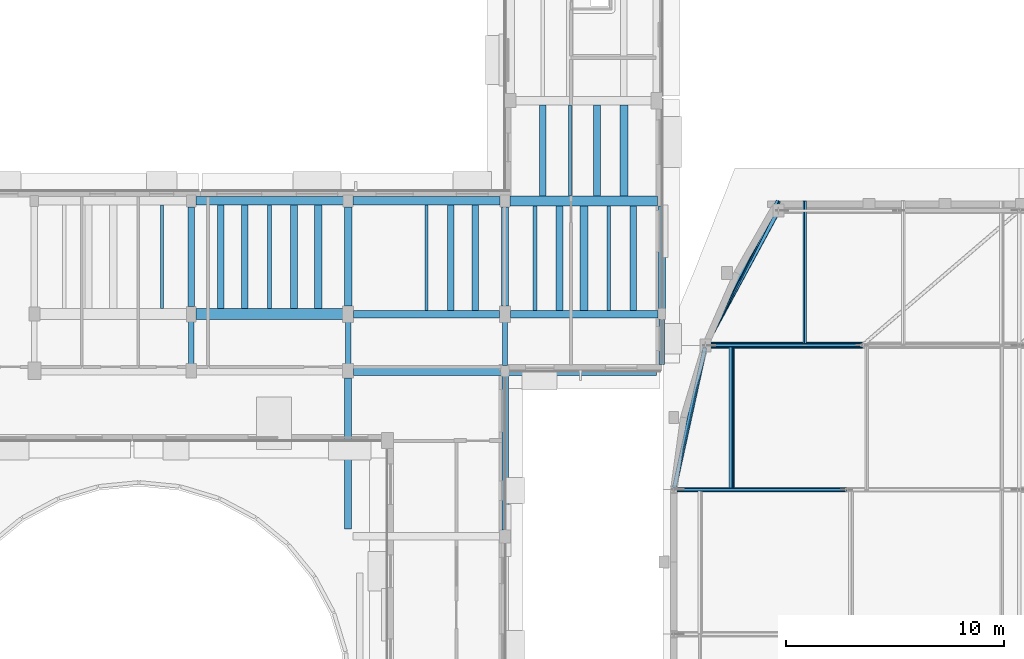
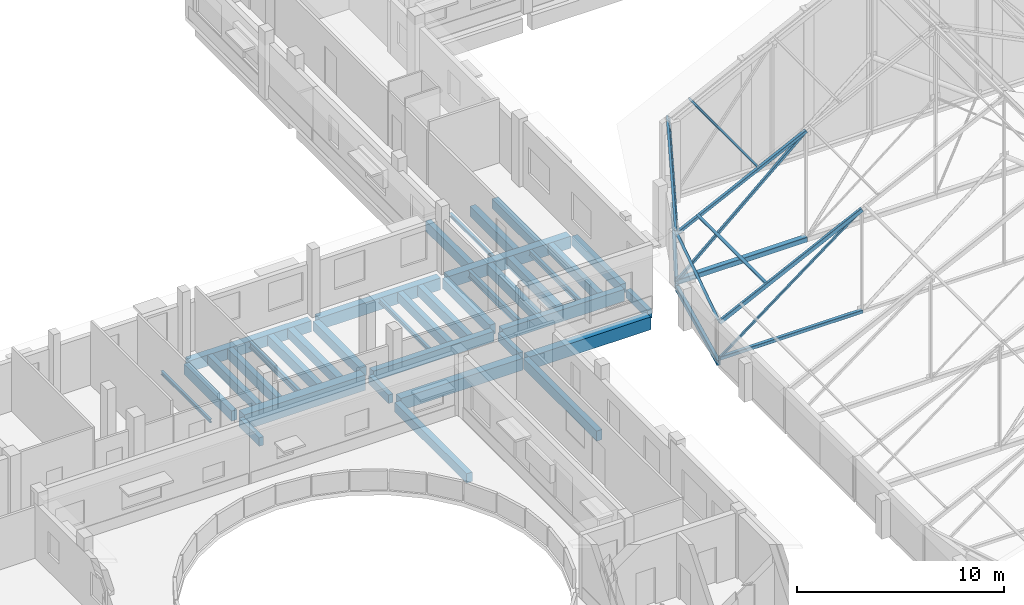
# One storey, part 26 of 78: 38 beams, 10 members.
"""IFC4 building model written with IfcOpenShell, lengths in metres."""

from ifc_helpers import new_model, si_unit, direction, frame, origin, origin_2d, place, context, subcontext, project, spatial, rectangle, hollow_rectangle, i_section, extrude, material, material_profile, profile_set, type_object, element, save


model = new_model("IFC4")

# Units and contexts
model_context = context("Model", 3, precision=1e-05, world=origin(), true_north=direction((0.0, 1.0)))
body_context = subcontext(model_context, "Body", "Model", "MODEL_VIEW")
ifc_project = project(units=[si_unit("LENGTHUNIT", "METRE"), si_unit("AREAUNIT", "SQUARE_METRE"), si_unit("VOLUMEUNIT", "CUBIC_METRE"), si_unit("PLANEANGLEUNIT", "RADIAN"), si_unit("MASSUNIT", "GRAM", prefix="KILO")], contexts=[model_context])

# Site, building, storey
site_placement = place(None, origin())
site = spatial("IfcSite", under=ifc_project, at=site_placement, CompositionType="ELEMENT")
building_placement = place(site_placement, origin())
building = spatial("IfcBuilding", under=site, at=building_placement, Name="Kelanivale Promenade Academy", CompositionType="ELEMENT")
storey_placement = place(building_placement, frame((0.0, 0.0, 16.199951171875)))
storey = spatial("IfcBuildingStorey", under=building, at=storey_placement, Name="L04", CompositionType="ELEMENT", Elevation=16.199951171875)

# Beams
ifc_material_1 = material(Name="Concrete C35/45", Category="concrete")
ifc_material_profile_1 = material_profile(ifc_material_1, rectangle(XDim=0.39990234375, YDim=0.64990234375, at=origin_2d()), Name="RC-BM 400x650")
ifc_profile_set_1 = profile_set([ifc_material_profile_1], Name="Concrete C35/45")
beam_type_1 = type_object("IfcBeamType", Name="BM-01 RC-BM 400x650", PredefinedType="BEAM", material=ifc_profile_set_1)
beam_1_placement = place(storey_placement, frame((101.419921875, 79.39990234375, -0.544921875), z_axis=(1.0, 0.0, 0.0), x_axis=(0.0, 1.0, 0.0)))
element("IfcBeam", 1, at=beam_1_placement, inside=storey, type_object=beam_type_1, Name="L04 girder BM-01", PredefinedType="BEAM", context=body_context, shape_type="SweptSolid", body=[
    extrude(rectangle(XDim=0.39990234375, YDim=0.64990234375, at=origin_2d()), origin(), (0.0, 0.0, 1.0), 6.760009765625),
])
ifc_material_profile_2 = material_profile(ifc_material_1, rectangle(XDim=0.39990234375, YDim=0.699951171875, at=origin_2d()), Name="RC-BM 400x700")
ifc_profile_set_2 = profile_set([ifc_material_profile_2], Name="Concrete C35/45")
beam_type_2 = type_object("IfcBeamType", Name="BM-02 RC-BM 400x700", PredefinedType="BEAM", material=ifc_profile_set_2)
beam_2_placement = place(storey_placement, frame((108.6201171875, 79.39990234375, -0.570068359375), z_axis=(1.0, 0.0, 0.0), x_axis=(0.0, 1.0, 0.0)))
element("IfcBeam", 2, at=beam_2_placement, inside=storey, type_object=beam_type_2, Name="L04 girder BM-02", PredefinedType="BEAM", context=body_context, shape_type="SweptSolid", body=[
    extrude(rectangle(XDim=0.39990234375, YDim=0.699951171875, at=origin_2d()), origin(), (0.0, 0.0, 1.0), 6.759765625),
])
ifc_material_profile_3 = material_profile(ifc_material_1, rectangle(XDim=0.449951171875, YDim=0.699951171875, at=origin_2d()), Name="RC-BM 450x700")
ifc_profile_set_3 = profile_set([ifc_material_profile_3], Name="Concrete C35/45")
beam_type_3 = type_object("IfcBeamType", Name="BM-03 RC-BM 450x700", PredefinedType="BEAM", material=ifc_profile_set_3)
for number, where, z_axis, x_axis, name in (
    (3, (108.64501953125, 71.60009765625, -0.570068359375), (1.0, 0.0, 0.0), (0.0, 1.0, 0.0), "L04 girder BM-03"),
    (4, (115.820068359375, 79.39990234375, -0.6298828125), (1.0, 0.0, 0.0), (0.0, 1.0, 0.0), "L04 girder BM-03"),
):
    element("IfcBeam", number, at=place(storey_placement, frame(where, z_axis=z_axis, x_axis=x_axis)), inside=storey, type_object=beam_type_3, Name=name, PredefinedType="BEAM", context=body_context, shape_type="SweptSolid", body=[
        extrude(rectangle(XDim=0.449951171875, YDim=0.699951171875, at=origin_2d()), origin(), (0.0, 0.0, 1.0), 6.784912109375),
    ])
ifc_material_profile_4 = material_profile(ifc_material_1, rectangle(XDim=0.449951171875, YDim=0.75, at=origin_2d()), Name="RC-BM 450x750")
ifc_profile_set_4 = profile_set([ifc_material_profile_4], Name="Concrete C35/45")
beam_type_4 = type_object("IfcBeamType", Name="BM-04 RC-BM 450x750", PredefinedType="BEAM", material=ifc_profile_set_4)
beam_3_placement = place(storey_placement, frame((115.77001953125, 71.60009765625, -0.655029296875), z_axis=(1.0, 0.0, 0.0), x_axis=(0.0, 1.0, 0.0)))
element("IfcBeam", 5, at=beam_3_placement, inside=storey, type_object=beam_type_4, Name="L04 girder BM-04", PredefinedType="BEAM", context=body_context, shape_type="SweptSolid", body=[
    extrude(rectangle(XDim=0.449951171875, YDim=0.75, at=origin_2d()), origin(), (0.0, 0.0, 1.0), 6.784912109375),
])
ifc_material_profile_5 = material_profile(ifc_material_1, rectangle(XDim=0.5, YDim=0.89990234375, at=origin_2d()), Name="RC-BM 500x900")
ifc_profile_set_5 = profile_set([ifc_material_profile_5], Name="Concrete C35/45")
beam_type_5 = type_object("IfcBeamType", Name="BM-08 RC-BM 500x900", PredefinedType="BEAM", material=ifc_profile_set_5)
beam_4_placement = place(storey_placement, frame((101.419921875, 74.199951171875, -0.669921875), z_axis=(1.0, 0.0, 0.0), x_axis=(0.0, 1.0, 0.0)))
element("IfcBeam", 6, at=beam_4_placement, inside=storey, type_object=beam_type_5, Name="L04 girder BM-08", PredefinedType="BEAM", context=body_context, shape_type="SweptSolid", body=[
    extrude(rectangle(XDim=0.5, YDim=0.89990234375, at=origin_2d()), origin(), (0.0, 0.0, 1.0), 6.735107421875),
])
ifc_material_profile_6 = material_profile(ifc_material_1, rectangle(XDim=0.35009765625, YDim=0.60009765625, at=origin_2d()), Name="RC-BM 350x600")
ifc_profile_set_6 = profile_set([ifc_material_profile_6], Name="Concrete C35/45")
beam_type_6 = type_object("IfcBeamType", Name="BM-09 RC-BM 350x600", PredefinedType="BEAM", material=ifc_profile_set_6)
beam_5_placement = place(storey_placement, frame((108.64501953125, 74.199951171875, -0.52001953125), z_axis=(1.0, 0.0, 0.0), x_axis=(0.0, 1.0, 0.0)))
element("IfcBeam", 7, at=beam_5_placement, inside=storey, type_object=beam_type_6, Name="L04 girder BM-09", PredefinedType="BEAM", context=body_context, shape_type="SweptSolid", body=[
    extrude(rectangle(XDim=0.35009765625, YDim=0.60009765625, at=origin_2d()), origin(), (0.0, 0.0, 1.0), 6.7099609375),
])
ifc_material_profile_7 = material_profile(ifc_material_1, rectangle(XDim=0.35009765625, YDim=0.699951171875, at=origin_2d()), Name="RC-BM 350x700")
ifc_profile_set_7 = profile_set([ifc_material_profile_7], Name="Concrete C35/45")
beam_type_7 = type_object("IfcBeamType", Name="BM-11 RC-BM 350x700", PredefinedType="BEAM", material=ifc_profile_set_7)
beam_6_placement = place(storey_placement, frame((115.844970703125, 74.199951171875, -0.6298828125), z_axis=(1.0, 0.0, 0.0), x_axis=(0.0, 1.0, 0.0)))
element("IfcBeam", 8, at=beam_6_placement, inside=storey, type_object=beam_type_7, Name="L04 girder BM-11", PredefinedType="BEAM", context=body_context, shape_type="SweptSolid", body=[
    extrude(rectangle(XDim=0.35009765625, YDim=0.699951171875, at=origin_2d()), origin(), (0.0, 0.0, 1.0), 6.784912109375),
])
ifc_material_profile_8 = material_profile(ifc_material_1, rectangle(XDim=0.300048828125, YDim=0.550048828125, at=origin_2d()), Name="RC-BM 300x550")
ifc_profile_set_8 = profile_set([ifc_material_profile_8], Name="Concrete C35/45")
beam_type_8 = type_object("IfcBeamType", Name="JS-02 RC-BM 300x550", PredefinedType="JOIST", material=ifc_profile_set_8)
beam_7_placement = place(storey_placement, frame((102.54296875, 74.449951171875, -0.494873046875), z_axis=(0.0, 1.0, 0.0), x_axis=(-1.0, 0.0, 0.0)))
element("IfcBeam", 9, at=beam_7_placement, inside=storey, type_object=beam_type_8, Name="L04 secondary sub-beam JS-02", PredefinedType="JOIST", context=body_context, shape_type="SweptSolid", body=[
    extrude(rectangle(XDim=0.300048828125, YDim=0.550048828125, at=origin_2d()), origin(), (0.0, 0.0, 1.0), 4.75),
])
beam_8_placement = place(storey_placement, frame((113.117919921875, 74.375, -0.494873046875), z_axis=(0.0, 1.0, 0.0), x_axis=(-1.0, 0.0, 0.0)))
element("IfcBeam", 10, at=beam_8_placement, inside=storey, type_object=beam_type_8, Name="L04 secondary sub-beam JS-02", PredefinedType="JOIST", context=body_context, shape_type="SweptSolid", body=[
    extrude(rectangle(XDim=0.300048828125, YDim=0.550048828125, at=origin_2d()), origin(), (0.0, 0.0, 1.0), 4.824951171875),
])
beam_9_placement = place(storey_placement, frame((121.47802734375, 74.375, -0.554931640625), z_axis=(0.0, 1.0, 0.0), x_axis=(-1.0, 0.0, 0.0)))
element("IfcBeam", 11, at=beam_9_placement, inside=storey, type_object=beam_type_8, Name="L04 secondary sub-beam JS-02", PredefinedType="JOIST", context=body_context, shape_type="SweptSolid", body=[
    extrude(rectangle(XDim=0.300048828125, YDim=0.550048828125, at=origin_2d()), origin(), (0.0, 0.0, 1.0), 4.800048828125),
])
ifc_material_profile_9 = material_profile(ifc_material_1, rectangle(XDim=0.300048828125, YDim=0.60009765625, at=origin_2d()), Name="RC-BM 300x600")
ifc_profile_set_9 = profile_set([ifc_material_profile_9], Name="Concrete C35/45")
beam_type_9 = type_object("IfcBeamType", Name="JS-03 RC-BM 300x600", PredefinedType="JOIST", material=ifc_profile_set_9)
beam_10_placement = place(storey_placement, frame((101.199951171875, 74.544921875, -0.52001953125), z_axis=(0.0, 1.0, 0.0), x_axis=(-1.0, 0.0, 0.0)))
element("IfcBeam", 12, at=beam_10_placement, inside=storey, type_object=beam_type_9, Name="L04 beam JS-03", PredefinedType="JOIST", context=body_context, shape_type="SweptSolid", body=[
    extrude(rectangle(XDim=0.300048828125, YDim=0.60009765625, at=origin_2d()), origin(), (0.0, 0.0, 1.0), 4.5849609375),
])
beam_11_placement = place(storey_placement, frame((115.60009765625, 64.294921875, -0.52001953125), z_axis=(0.0, 1.0, 0.0), x_axis=(-1.0, 0.0, 0.0)))
element("IfcBeam", 13, at=beam_11_placement, inside=storey, type_object=beam_type_9, Name="L04 beam JS-03", PredefinedType="JOIST", context=body_context, shape_type="SweptSolid", body=[
    extrude(rectangle(XDim=0.300048828125, YDim=0.60009765625, at=origin_2d()), origin(), (0.0, 0.0, 1.0), 7.06005859375),
])
beam_12_placement = place(storey_placement, frame((103.6650390625, 74.449951171875, -0.52001953125), z_axis=(0.0, 1.0, 0.0), x_axis=(-1.0, 0.0, 0.0)))
element("IfcBeam", 14, at=beam_12_placement, inside=storey, type_object=beam_type_9, Name="L04 secondary sub-beam JS-03", PredefinedType="JOIST", context=body_context, shape_type="SweptSolid", body=[
    extrude(rectangle(XDim=0.300048828125, YDim=0.60009765625, at=origin_2d()), origin(), (0.0, 0.0, 1.0), 4.75),
])
beam_13_placement = place(storey_placement, frame((114.237060546875, 74.375, -0.52001953125), z_axis=(0.0, 1.0, 0.0), x_axis=(-1.0, 0.0, 0.0)))
element("IfcBeam", 15, at=beam_13_placement, inside=storey, type_object=beam_type_9, Name="L04 secondary sub-beam JS-03", PredefinedType="JOIST", context=body_context, shape_type="SweptSolid", body=[
    extrude(rectangle(XDim=0.300048828125, YDim=0.60009765625, at=origin_2d()), origin(), (0.0, 0.0, 1.0), 4.824951171875),
])
beam_14_placement = place(storey_placement, frame((117.3369140625, 79.625, -0.579833984375), z_axis=(0.0, 1.0, 0.0), x_axis=(-1.0, 0.0, 0.0)))
element("IfcBeam", 16, at=beam_14_placement, inside=storey, type_object=beam_type_9, Name="L04 secondary sub-beam JS-03", PredefinedType="JOIST", context=body_context, shape_type="SweptSolid", body=[
    extrude(rectangle(XDim=0.300048828125, YDim=0.60009765625, at=origin_2d()), origin(), (0.0, 0.0, 1.0), 4.175048828125),
])
ifc_material_profile_10 = material_profile(ifc_material_1, rectangle(XDim=0.320068359375, YDim=0.550048828125, at=origin_2d()), Name="RC-BM 320x550")
ifc_profile_set_10 = profile_set([ifc_material_profile_10], Name="Concrete C35/45")
beam_type_10 = type_object("IfcBeamType", Name="JS-04 RC-BM 320x550", PredefinedType="JOIST", material=ifc_profile_set_10)
beam_15_placement = place(storey_placement, frame((108.39990234375, 64.344970703125, -0.514892578125), z_axis=(0.0, 1.0, 0.0), x_axis=(-1.0, 0.0, 0.0)))
element("IfcBeam", 17, at=beam_15_placement, inside=storey, type_object=beam_type_10, Name="L04 beam JS-04", PredefinedType="JOIST", context=body_context, shape_type="SweptSolid", body=[
    extrude(rectangle(XDim=0.320068359375, YDim=0.550048828125, at=origin_2d()), origin(), (0.0, 0.0, 1.0), 6.93505859375),
])
beam_16_placement = place(storey_placement, frame((122.800048828125, 74.445068359375, -0.554931640625), z_axis=(0.0, 1.0, 0.0), x_axis=(-1.0, 0.0, 0.0)))
element("IfcBeam", 18, at=beam_16_placement, inside=storey, type_object=beam_type_10, Name="L04 beam JS-04", PredefinedType="JOIST", context=body_context, shape_type="SweptSolid", body=[
    extrude(rectangle(XDim=0.320068359375, YDim=0.550048828125, at=origin_2d()), origin(), (0.0, 0.0, 1.0), 4.7099609375),
])
ifc_material_profile_11 = material_profile(ifc_material_1, rectangle(XDim=0.320068359375, YDim=0.60009765625, at=origin_2d()), Name="RC-BM 320x600")
ifc_profile_set_11 = profile_set([ifc_material_profile_11], Name="Concrete C35/45")
beam_type_11 = type_object("IfcBeamType", Name="JS-05 RC-BM 320x600", PredefinedType="JOIST", material=ifc_profile_set_11)
beam_17_placement = place(storey_placement, frame((115.60009765625, 74.570068359375, -0.52001953125), z_axis=(0.0, 1.0, 0.0), x_axis=(-1.0, 0.0, 0.0)))
element("IfcBeam", 19, at=beam_17_placement, inside=storey, type_object=beam_type_11, Name="L04 beam JS-05", PredefinedType="JOIST", context=body_context, shape_type="SweptSolid", body=[
    extrude(rectangle(XDim=0.320068359375, YDim=0.60009765625, at=origin_2d()), origin(), (0.0, 0.0, 1.0), 4.559814453125),
])
beam_18_placement = place(storey_placement, frame((105.909912109375, 74.449951171875, -0.52001953125), z_axis=(0.0, 1.0, 0.0), x_axis=(-1.0, 0.0, 0.0)))
element("IfcBeam", 20, at=beam_18_placement, inside=storey, type_object=beam_type_11, Name="L04 secondary sub-beam JS-05", PredefinedType="JOIST", context=body_context, shape_type="SweptSolid", body=[
    extrude(rectangle(XDim=0.320068359375, YDim=0.60009765625, at=origin_2d()), origin(), (0.0, 0.0, 1.0), 4.75),
])
beam_19_placement = place(storey_placement, frame((118.097900390625, 74.375, -0.579833984375), z_axis=(0.0, 1.0, 0.0), x_axis=(-1.0, 0.0, 0.0)))
element("IfcBeam", 21, at=beam_19_placement, inside=storey, type_object=beam_type_11, Name="L04 secondary sub-beam JS-05", PredefinedType="JOIST", context=body_context, shape_type="SweptSolid", body=[
    extrude(rectangle(XDim=0.320068359375, YDim=0.60009765625, at=origin_2d()), origin(), (0.0, 0.0, 1.0), 4.800048828125),
])
beam_20_placement = place(storey_placement, frame((119.821044921875, 79.625, -0.579833984375), z_axis=(0.0, 1.0, 0.0), x_axis=(-1.0, 0.0, 0.0)))
element("IfcBeam", 22, at=beam_20_placement, inside=storey, type_object=beam_type_11, Name="L04 secondary sub-beam JS-05", PredefinedType="JOIST", context=body_context, shape_type="SweptSolid", body=[
    extrude(rectangle(XDim=0.320068359375, YDim=0.60009765625, at=origin_2d()), origin(), (0.0, 0.0, 1.0), 4.175048828125),
])
ifc_material_profile_12 = material_profile(ifc_material_1, rectangle(XDim=0.35009765625, YDim=0.550048828125, at=origin_2d()), Name="RC-BM 350x550")
ifc_profile_set_12 = profile_set([ifc_material_profile_12], Name="Concrete C35/45")
beam_type_12 = type_object("IfcBeamType", Name="JS-06 RC-BM 350x550", PredefinedType="JOIST", material=ifc_profile_set_12)
beam_21_placement = place(storey_placement, frame((108.39990234375, 74.570068359375, -0.494873046875), z_axis=(0.0, 1.0, 0.0), x_axis=(-1.0, 0.0, 0.0)))
element("IfcBeam", 23, at=beam_21_placement, inside=storey, type_object=beam_type_12, Name="L04 beam JS-06", PredefinedType="JOIST", context=body_context, shape_type="SweptSolid", body=[
    extrude(rectangle(XDim=0.35009765625, YDim=0.550048828125, at=origin_2d()), origin(), (0.0, 0.0, 1.0), 4.559814453125),
])
beam_22_placement = place(storey_placement, frame((107.031982421875, 74.449951171875, -0.494873046875), z_axis=(0.0, 1.0, 0.0), x_axis=(-1.0, 0.0, 0.0)))
element("IfcBeam", 24, at=beam_22_placement, inside=storey, type_object=beam_type_12, Name="L04 secondary sub-beam JS-06", PredefinedType="JOIST", context=body_context, shape_type="SweptSolid", body=[
    extrude(rectangle(XDim=0.35009765625, YDim=0.550048828125, at=origin_2d()), origin(), (0.0, 0.0, 1.0), 4.75),
])
beam_23_placement = place(storey_placement, frame((119.22509765625, 74.375, -0.554931640625), z_axis=(0.0, 1.0, 0.0), x_axis=(-1.0, 0.0, 0.0)))
element("IfcBeam", 25, at=beam_23_placement, inside=storey, type_object=beam_type_12, Name="L04 secondary sub-beam JS-06", PredefinedType="JOIST", context=body_context, shape_type="SweptSolid", body=[
    extrude(rectangle(XDim=0.35009765625, YDim=0.550048828125, at=origin_2d()), origin(), (0.0, 0.0, 1.0), 4.800048828125),
])
beam_24_placement = place(storey_placement, frame((121.06298828125, 79.625, -0.554931640625), z_axis=(0.0, 1.0, 0.0), x_axis=(-1.0, 0.0, 0.0)))
element("IfcBeam", 26, at=beam_24_placement, inside=storey, type_object=beam_type_12, Name="L04 secondary sub-beam JS-06", PredefinedType="JOIST", context=body_context, shape_type="SweptSolid", body=[
    extrude(rectangle(XDim=0.35009765625, YDim=0.550048828125, at=origin_2d()), origin(), (0.0, 0.0, 1.0), 4.175048828125),
])
ifc_material_profile_13 = material_profile(ifc_material_1, rectangle(XDim=0.25, YDim=0.5, at=origin_2d()), Name="RC-BM 250x500")
ifc_profile_set_13 = profile_set([ifc_material_profile_13], Name="Concrete C35/45")
beam_type_13 = type_object("IfcBeamType", Name="LN-02 RC-BM 250x500", PredefinedType="LINTEL", material=ifc_profile_set_13)
beam_25_placement = place(storey_placement, frame((101.199951171875, 71.919921875, -0.469970703125), z_axis=(0.0, 1.0, 0.0), x_axis=(-1.0, 0.0, 0.0)))
element("IfcBeam", 27, at=beam_25_placement, inside=storey, type_object=beam_type_13, Name="L04 beam LN-02", PredefinedType="LINTEL", context=body_context, shape_type="SweptSolid", body=[
    extrude(rectangle(XDim=0.25, YDim=0.5, at=origin_2d()), origin(), (0.0, 0.0, 1.0), 1.93505859375),
])
beam_26_placement = place(storey_placement, frame((108.39990234375, 71.919921875, -0.469970703125), z_axis=(0.0, 1.0, 0.0), x_axis=(-1.0, 0.0, 0.0)))
element("IfcBeam", 28, at=beam_26_placement, inside=storey, type_object=beam_type_13, Name="L04 beam LN-02", PredefinedType="LINTEL", context=body_context, shape_type="SweptSolid", body=[
    extrude(rectangle(XDim=0.25, YDim=0.5, at=origin_2d()), origin(), (0.0, 0.0, 1.0), 1.91015625),
])
beam_27_placement = place(storey_placement, frame((115.60009765625, 71.844970703125, -0.469970703125), z_axis=(0.0, 1.0, 0.0), x_axis=(-1.0, 0.0, 0.0)))
element("IfcBeam", 29, at=beam_27_placement, inside=storey, type_object=beam_type_13, Name="L04 beam LN-02", PredefinedType="LINTEL", context=body_context, shape_type="SweptSolid", body=[
    extrude(rectangle(XDim=0.25, YDim=0.5, at=origin_2d()), origin(), (0.0, 0.0, 1.0), 1.985107421875),
])
beam_28_placement = place(storey_placement, frame((122.800048828125, 71.89501953125, -0.530029296875), z_axis=(0.0, 1.0, 0.0), x_axis=(-1.0, 0.0, 0.0)))
element("IfcBeam", 30, at=beam_28_placement, inside=storey, type_object=beam_type_13, Name="L04 beam LN-02", PredefinedType="LINTEL", context=body_context, shape_type="SweptSolid", body=[
    extrude(rectangle(XDim=0.25, YDim=0.5, at=origin_2d()), origin(), (0.0, 0.0, 1.0), 2.06005859375),
])

# Members
ifc_material_2 = material(Name="Steel S355", Category="steel")
ifc_material_profile_14 = material_profile(ifc_material_2, i_section(OverallWidth=0.13330078125, OverallDepth=0.203125, WebThickness=0.005615234375, FlangeThickness=0.0078125, FilletRadius=0.007568359375, at=origin_2d()), Name="UB 203x133x25")
ifc_profile_set_14 = profile_set([ifc_material_profile_14], Name="Steel S355")
member_type_1 = type_object("IfcMemberType", Name="PR-01 UB 203x133x25", PredefinedType="PURLIN", material=ifc_profile_set_14)
member_1_placement = place(storey_placement, frame((123.35009765625, 66.14306640625, 2.345947265625), z_axis=(0.212555551587, 0.971621167618, 0.10379038552), x_axis=(-0.868071083791, 0.236527250347, -0.436471595101)))
element("IfcMember", 31, at=member_1_placement, inside=storey, type_object=member_type_1, Name="Assembly Hall Arc Pavilion roof tie purlin PR-01", PredefinedType="PURLIN", context=body_context, shape_type="SweptSolid", body=[
    extrude(i_section(OverallWidth=0.13330078125, OverallDepth=0.203125, WebThickness=0.005615234375, FlangeThickness=0.0078125, FilletRadius=0.007568359375, at=origin_2d()), origin(), (0.0, 0.0, 1.0), 6.821533203125),
])
member_2_placement = place(storey_placement, frame((124.800048828125, 72.77099609375, 3.053955078125), z_axis=(0.440463872752, 0.871618327598, 0.215111756527), x_axis=(-0.759403461189, 0.489526007548, -0.428568163852)))
element("IfcMember", 32, at=member_2_placement, inside=storey, type_object=member_type_1, Name="Assembly Hall Arc Pavilion roof tie purlin PR-01", PredefinedType="PURLIN", context=body_context, shape_type="SweptSolid", body=[
    extrude(i_section(OverallWidth=0.13330078125, OverallDepth=0.203125, WebThickness=0.005615234375, FlangeThickness=0.0078125, FilletRadius=0.007568359375, at=origin_2d()), origin(), (0.0, 0.0, 1.0), 7.605224609375),
])
ifc_material_profile_15 = material_profile(ifc_material_2, i_section(OverallWidth=0.14599609375, OverallDepth=0.25146484375, WebThickness=0.006103515625, FlangeThickness=0.008544921875, FilletRadius=0.007568359375, at=origin_2d()), Name="UB 254x146x31")
ifc_profile_set_15 = profile_set([ifc_material_profile_15], Name="Steel S355")
member_type_2 = type_object("IfcMemberType", Name="PR-02 UB 254x146x31", PredefinedType="PURLIN", material=ifc_profile_set_15)
member_3_placement = place(storey_placement, frame((126.0, 66.14306640625, 3.630126953125), z_axis=(0.0, 1.0, 0.0), x_axis=(-0.898564392509, 0.0, -0.438841694139)))
element("IfcMember", 33, at=member_3_placement, inside=storey, type_object=member_type_2, Name="Assembly Hall Arc Pavilion roof purlin PR-02", PredefinedType="PURLIN", context=body_context, shape_type="SweptSolid", body=[
    extrude(i_section(OverallWidth=0.14599609375, OverallDepth=0.25146484375, WebThickness=0.006103515625, FlangeThickness=0.008544921875, FilletRadius=0.007568359375, at=origin_2d()), origin(), (0.0, 0.0, 1.0), 6.6279296875),
])
ifc_material_profile_16 = material_profile(ifc_material_2, hollow_rectangle(XDim=0.10009765625, YDim=0.199951171875, WallThickness=0.008056640625, InnerFilletRadius=0.008056640625, OuterFilletRadius=0.01611328125, at=origin_2d()), Name="RHS 200x100x8.0")
ifc_profile_set_16 = profile_set([ifc_material_profile_16], Name="Steel S355")
member_type_3 = type_object("IfcMemberType", Name="PR-03 RHS 200x100x8.0", PredefinedType="PURLIN", material=ifc_profile_set_16)
member_4_placement = place(storey_placement, frame((129.35009765625, 72.77099609375, 5.296142578125), z_axis=(0.0, 1.0, 0.0), x_axis=(-0.898564392509, 0.0, -0.438841694139)))
element("IfcMember", 34, at=member_4_placement, inside=storey, type_object=member_type_3, Name="Assembly Hall Arc Pavilion roof purlin PR-03", PredefinedType="PURLIN", context=body_context, shape_type="SweptSolid", body=[
    extrude(hollow_rectangle(XDim=0.10009765625, YDim=0.199951171875, WallThickness=0.008056640625, InnerFilletRadius=0.008056640625, OuterFilletRadius=0.01611328125, at=origin_2d()), origin(), (0.0, 0.0, 1.0), 6.62890625),
])

# Beams
ifc_material_profile_17 = material_profile(ifc_material_2, i_section(OverallWidth=0.13330078125, OverallDepth=0.203125, WebThickness=0.005615234375, FlangeThickness=0.0078125, FilletRadius=0.007568359375, at=origin_2d()), Name="UB 203x133x25")
ifc_profile_set_17 = profile_set([ifc_material_profile_17], Name="Steel S355")
beam_type_14 = type_object("IfcBeamType", Name="SB-01 UB 203x133x25", PredefinedType="JOIST", material=ifc_profile_set_17)
beam_29_placement = place(storey_placement, frame((99.85791015625, 74.449951171875, -0.322021484375), z_axis=(0.0, 1.0, 0.0), x_axis=(-1.0, 0.0, 0.0)))
element("IfcBeam", 35, at=beam_29_placement, inside=storey, type_object=beam_type_14, Name="L04 secondary sub-beam SB-01", PredefinedType="JOIST", context=body_context, shape_type="SweptSolid", body=[
    extrude(i_section(OverallWidth=0.13330078125, OverallDepth=0.203125, WebThickness=0.005615234375, FlangeThickness=0.0078125, FilletRadius=0.007568359375, at=origin_2d()), origin(), (0.0, 0.0, 1.0), 4.75),
])
beam_30_placement = place(storey_placement, frame((118.5791015625, 79.625, -0.3818359375), z_axis=(0.0, 1.0, 0.0), x_axis=(-1.0, 0.0, 0.0)))
element("IfcBeam", 36, at=beam_30_placement, inside=storey, type_object=beam_type_14, Name="L04 secondary sub-beam SB-01", PredefinedType="JOIST", context=body_context, shape_type="SweptSolid", body=[
    extrude(i_section(OverallWidth=0.13330078125, OverallDepth=0.203125, WebThickness=0.005615234375, FlangeThickness=0.0078125, FilletRadius=0.007568359375, at=origin_2d()), origin(), (0.0, 0.0, 1.0), 4.175048828125),
])
ifc_material_profile_18 = material_profile(ifc_material_2, i_section(OverallWidth=0.14599609375, OverallDepth=0.25146484375, WebThickness=0.006103515625, FlangeThickness=0.008544921875, FilletRadius=0.007568359375, at=origin_2d()), Name="UB 254x146x31")
ifc_profile_set_18 = profile_set([ifc_material_profile_18], Name="Steel S355")
beam_type_15 = type_object("IfcBeamType", Name="SB-02 UB 254x146x31", PredefinedType="JOIST", material=ifc_profile_set_18)
beam_31_placement = place(storey_placement, frame((112.0, 74.375, -0.345947265625), z_axis=(0.0, 1.0, 0.0), x_axis=(-1.0, 0.0, 0.0)))
element("IfcBeam", 37, at=beam_31_placement, inside=storey, type_object=beam_type_15, Name="L04 secondary sub-beam SB-02", PredefinedType="JOIST", context=body_context, shape_type="SweptSolid", body=[
    extrude(i_section(OverallWidth=0.14599609375, OverallDepth=0.25146484375, WebThickness=0.006103515625, FlangeThickness=0.008544921875, FilletRadius=0.007568359375, at=origin_2d()), origin(), (0.0, 0.0, 1.0), 4.824951171875),
])
ifc_material_profile_19 = material_profile(ifc_material_2, i_section(OverallWidth=0.1650390625, OverallDepth=0.303466796875, WebThickness=0.006103515625, FlangeThickness=0.01025390625, FilletRadius=0.0087890625, at=origin_2d()), Name="UB 305x165x40")
ifc_profile_set_19 = profile_set([ifc_material_profile_19], Name="Steel S355")
beam_type_16 = type_object("IfcBeamType", Name="SB-03 UB 305x165x40", PredefinedType="BEAM", material=ifc_profile_set_19)
beam_32_placement = place(storey_placement, frame((120.35205078125, 74.375, -0.431884765625), z_axis=(0.0, 1.0, 0.0), x_axis=(-1.0, 0.0, 0.0)))
element("IfcBeam", 38, at=beam_32_placement, inside=storey, type_object=beam_type_16, Name="L04 secondary sub-beam SB-03", PredefinedType="BEAM", context=body_context, shape_type="SweptSolid", body=[
    extrude(i_section(OverallWidth=0.1650390625, OverallDepth=0.303466796875, WebThickness=0.006103515625, FlangeThickness=0.01025390625, FilletRadius=0.0087890625, at=origin_2d()), origin(), (0.0, 0.0, 1.0), 4.800048828125),
])
ifc_material_profile_20 = material_profile(ifc_material_2, i_section(OverallWidth=0.17138671875, OverallDepth=0.35498046875, WebThickness=0.00732421875, FlangeThickness=0.011474609375, FilletRadius=0.01025390625, at=origin_2d()), Name="UB 356x171x51")
ifc_profile_set_20 = profile_set([ifc_material_profile_20], Name="Steel S355")
beam_type_17 = type_object("IfcBeamType", Name="SB-04 UB 356x171x51", PredefinedType="BEAM", material=ifc_profile_set_20)
beam_33_placement = place(storey_placement, frame((104.787109375, 74.449951171875, -0.39697265625), z_axis=(0.0, 1.0, 0.0), x_axis=(-1.0, 0.0, 0.0)))
element("IfcBeam", 39, at=beam_33_placement, inside=storey, type_object=beam_type_17, Name="L04 secondary sub-beam SB-04", PredefinedType="BEAM", context=body_context, shape_type="SweptSolid", body=[
    extrude(i_section(OverallWidth=0.17138671875, OverallDepth=0.35498046875, WebThickness=0.00732421875, FlangeThickness=0.011474609375, FilletRadius=0.01025390625, at=origin_2d()), origin(), (0.0, 0.0, 1.0), 4.75),
])
ifc_material_profile_21 = material_profile(ifc_material_2, i_section(OverallWidth=0.177978515625, OverallDepth=0.406494140625, WebThickness=0.0078125, FlangeThickness=0.0126953125, FilletRadius=0.01025390625, at=origin_2d()), Name="UB 406x178x60")
ifc_profile_set_21 = profile_set([ifc_material_profile_21], Name="Steel S355")
beam_type_18 = type_object("IfcBeamType", Name="SB-05 UB 406x178x60", PredefinedType="BEAM", material=ifc_profile_set_21)
beam_34_placement = place(storey_placement, frame((116.971923828125, 74.375, -0.48291015625), z_axis=(0.0, 1.0, 0.0), x_axis=(-1.0, 0.0, 0.0)))
element("IfcBeam", 40, at=beam_34_placement, inside=storey, type_object=beam_type_18, Name="L04 secondary sub-beam SB-05", PredefinedType="BEAM", context=body_context, shape_type="SweptSolid", body=[
    extrude(i_section(OverallWidth=0.177978515625, OverallDepth=0.406494140625, WebThickness=0.0078125, FlangeThickness=0.0126953125, FilletRadius=0.01025390625, at=origin_2d()), origin(), (0.0, 0.0, 1.0), 4.800048828125),
])
ifc_material_profile_22 = material_profile(ifc_material_2, hollow_rectangle(XDim=0.199951171875, YDim=0.300048828125, WallThickness=0.012451171875, InnerFilletRadius=0.012451171875, OuterFilletRadius=0.02490234375, at=origin_2d()), Name="RHS 300x200x12.5")
ifc_profile_set_22 = profile_set([ifc_material_profile_22], Name="Steel S355")
beam_type_19 = type_object("IfcBeamType", Name="SB-14 RHS 300x200x12.5", PredefinedType="SPANDREL", material=ifc_profile_set_22)
beam_35_placement = place(storey_placement, frame((123.37109375, 66.240966796875, -0.14990234375), z_axis=(0.213831783118, 0.976870497317, 0.0), x_axis=(-0.976870497317, 0.213831783118, 0.0)))
element("IfcBeam", 41, at=beam_35_placement, inside=storey, type_object=beam_type_19, Name="Assembly Hall Arc Pavilion inner kidney ring beam SB-14", PredefinedType="SPANDREL", context=body_context, shape_type="SweptSolid", body=[
    extrude(hollow_rectangle(XDim=0.199951171875, YDim=0.300048828125, WallThickness=0.012451171875, InnerFilletRadius=0.012451171875, OuterFilletRadius=0.02490234375, at=origin_2d()), origin(), (0.0, 0.0, 1.0), 6.58447265625),
])
beam_36_placement = place(storey_placement, frame((124.847900390625, 72.85888671875, -0.14990234375), z_axis=(0.476558403155, 0.879142814554, 0.0), x_axis=(-0.879142814554, 0.476558403155, 0.0)))
element("IfcBeam", 42, at=beam_36_placement, inside=storey, type_object=beam_type_19, Name="Assembly Hall Arc Pavilion inner kidney ring beam SB-14", PredefinedType="SPANDREL", context=body_context, shape_type="SweptSolid", body=[
    extrude(hollow_rectangle(XDim=0.199951171875, YDim=0.300048828125, WallThickness=0.012451171875, InnerFilletRadius=0.012451171875, OuterFilletRadius=0.02490234375, at=origin_2d()), origin(), (0.0, 0.0, 1.0), 6.828369140625),
])

# Members
ifc_material_profile_23 = material_profile(ifc_material_2, hollow_rectangle(XDim=0.300048828125, YDim=0.300048828125, WallThickness=0.01611328125, InnerFilletRadius=0.01611328125, OuterFilletRadius=0.031982421875, at=origin_2d()), Name="SHS 300x300x16.0")
ifc_profile_set_23 = profile_set([ifc_material_profile_23], Name="Steel S355")
member_type_4 = type_object("IfcMemberType", Name="TC-01 SHS 300x300x16.0", PredefinedType="CHORD", material=ifc_profile_set_23)
member_5_placement = place(storey_placement, frame((124.800048828125, 72.77099609375, 0.199951171875), z_axis=(1.0, 0.0, 0.0), x_axis=(0.0, 1.0, 0.0)))
element("IfcMember", 43, at=member_5_placement, inside=storey, type_object=member_type_4, Name="ROOF TRUSS AH-TR7 bottom chord 1", PredefinedType="CHORD", context=body_context, shape_type="SweptSolid", body=[
    extrude(hollow_rectangle(XDim=0.300048828125, YDim=0.300048828125, WallThickness=0.01611328125, InnerFilletRadius=0.01611328125, OuterFilletRadius=0.031982421875, at=origin_2d()), origin(), (0.0, 0.0, 1.0), 7.199951171875),
])
ifc_material_profile_24 = material_profile(ifc_material_2, hollow_rectangle(XDim=0.199951171875, YDim=0.199951171875, WallThickness=0.012451171875, InnerFilletRadius=0.012451171875, OuterFilletRadius=0.02490234375, at=origin_2d()), Name="SHS 200x200x12.5")
ifc_profile_set_24 = profile_set([ifc_material_profile_24], Name="Steel S355")
member_type_5 = type_object("IfcMemberType", Name="TC-03 SHS 200x200x12.5", PredefinedType="CHORD", material=ifc_profile_set_24)
member_6_placement = place(storey_placement, frame((123.35009765625, 66.14306640625, 0.199951171875), z_axis=(1.0, 0.0, 0.0), x_axis=(0.0, 1.0, 0.0)))
element("IfcMember", 44, at=member_6_placement, inside=storey, type_object=member_type_5, Name="ROOF TRUSS AH-TR6 bottom chord 1", PredefinedType="CHORD", context=body_context, shape_type="SweptSolid", body=[
    extrude(hollow_rectangle(XDim=0.199951171875, YDim=0.199951171875, WallThickness=0.012451171875, InnerFilletRadius=0.012451171875, OuterFilletRadius=0.02490234375, at=origin_2d()), origin(), (0.0, 0.0, 1.0), 7.9248046875),
])
ifc_material_profile_25 = material_profile(ifc_material_2, hollow_rectangle(XDim=0.179931640625, YDim=0.179931640625, WallThickness=0.010009765625, InnerFilletRadius=0.010009765625, OuterFilletRadius=0.02001953125, at=origin_2d()), Name="SHS 180x180x10.0")
ifc_profile_set_25 = profile_set([ifc_material_profile_25], Name="Steel S355")
member_type_6 = type_object("IfcMemberType", Name="TC-04 SHS 180x180x10.0", PredefinedType="CHORD", material=ifc_profile_set_25)
member_7_placement = place(storey_placement, frame((124.800048828125, 72.77099609375, 3.009033203125), z_axis=(0.898526440367, 0.0, 0.438919395745), x_axis=(0.0, 1.0, 0.0)))
element("IfcMember", 45, at=member_7_placement, inside=storey, type_object=member_type_6, Name="ROOF TRUSS AH-TR7 top chord 1", PredefinedType="CHORD", context=body_context, shape_type="SweptSolid", body=[
    extrude(hollow_rectangle(XDim=0.179931640625, YDim=0.179931640625, WallThickness=0.010009765625, InnerFilletRadius=0.010009765625, OuterFilletRadius=0.02001953125, at=origin_2d()), origin(), (0.0, 0.0, 1.0), 8.01318359375),
])
ifc_material_profile_26 = material_profile(ifc_material_2, hollow_rectangle(XDim=0.14990234375, YDim=0.25, WallThickness=0.010009765625, InnerFilletRadius=0.010009765625, OuterFilletRadius=0.02001953125, at=origin_2d()), Name="RHS 250x150x10.0")
ifc_profile_set_26 = profile_set([ifc_material_profile_26], Name="Steel S355")
member_type_7 = type_object("IfcMemberType", Name="TC-06 RHS 250x150x10.0", PredefinedType="CHORD", material=ifc_profile_set_26)
member_8_placement = place(storey_placement, frame((123.35009765625, 66.14306640625, 2.301025390625), z_axis=(0.898529943699, 0.0, 0.438912223885), x_axis=(0.0, 1.0, 0.0)))
element("IfcMember", 46, at=member_8_placement, inside=storey, type_object=member_type_7, Name="ROOF TRUSS AH-TR6 top chord 1", PredefinedType="CHORD", context=body_context, shape_type="SweptSolid", body=[
    extrude(hollow_rectangle(XDim=0.14990234375, YDim=0.25, WallThickness=0.010009765625, InnerFilletRadius=0.010009765625, OuterFilletRadius=0.02001953125, at=origin_2d()), origin(), (0.0, 0.0, 1.0), 8.81982421875),
])
ifc_material_profile_27 = material_profile(ifc_material_2, hollow_rectangle(XDim=0.14990234375, YDim=0.14990234375, WallThickness=0.010009765625, InnerFilletRadius=0.010009765625, OuterFilletRadius=0.02001953125, at=origin_2d()), Name="SHS 150x150x10.0")
ifc_profile_set_27 = profile_set([ifc_material_profile_27], Name="Steel S355")
member_type_8 = type_object("IfcMemberType", Name="TD-01 SHS 150x150x10.0", PredefinedType="BRACE", material=ifc_profile_set_27)
member_9_placement = place(storey_placement, frame((124.800048828125, 72.77099609375, 0.199951171875), z_axis=(0.751219629486, 0.0, 0.660052322377), x_axis=(0.0, 1.0, 0.0)))
element("IfcMember", 47, at=member_9_placement, inside=storey, type_object=member_type_8, Name="ROOF TRUSS AH-TR7 web diagonal 1", PredefinedType="BRACE", context=body_context, shape_type="SweptSolid", body=[
    extrude(hollow_rectangle(XDim=0.14990234375, YDim=0.14990234375, WallThickness=0.010009765625, InnerFilletRadius=0.010009765625, OuterFilletRadius=0.02001953125, at=origin_2d()), origin(), (0.0, 0.0, 1.0), 9.584228515625),
])
ifc_material_profile_28 = material_profile(ifc_material_2, hollow_rectangle(XDim=0.1201171875, YDim=0.1201171875, WallThickness=0.008056640625, InnerFilletRadius=0.008056640625, OuterFilletRadius=0.01611328125, at=origin_2d()), Name="SHS 120x120x8.0")
ifc_profile_set_28 = profile_set([ifc_material_profile_28], Name="Steel S355")
member_type_9 = type_object("IfcMemberType", Name="TD-02 SHS 120x120x8.0", PredefinedType="BRACE", material=ifc_profile_set_28)
member_10_placement = place(storey_placement, frame((123.35009765625, 66.14306640625, 0.199951171875), z_axis=(0.798616169446, 0.0, 0.601840688139), x_axis=(0.0, 1.0, 0.0)))
element("IfcMember", 48, at=member_10_placement, inside=storey, type_object=member_type_9, Name="ROOF TRUSS AH-TR6 web diagonal 1", PredefinedType="BRACE", context=body_context, shape_type="SweptSolid", body=[
    extrude(hollow_rectangle(XDim=0.1201171875, YDim=0.1201171875, WallThickness=0.008056640625, InnerFilletRadius=0.008056640625, OuterFilletRadius=0.01611328125, at=origin_2d()), origin(), (0.0, 0.0, 1.0), 9.923095703125),
])

save(model, "model.ifc")
